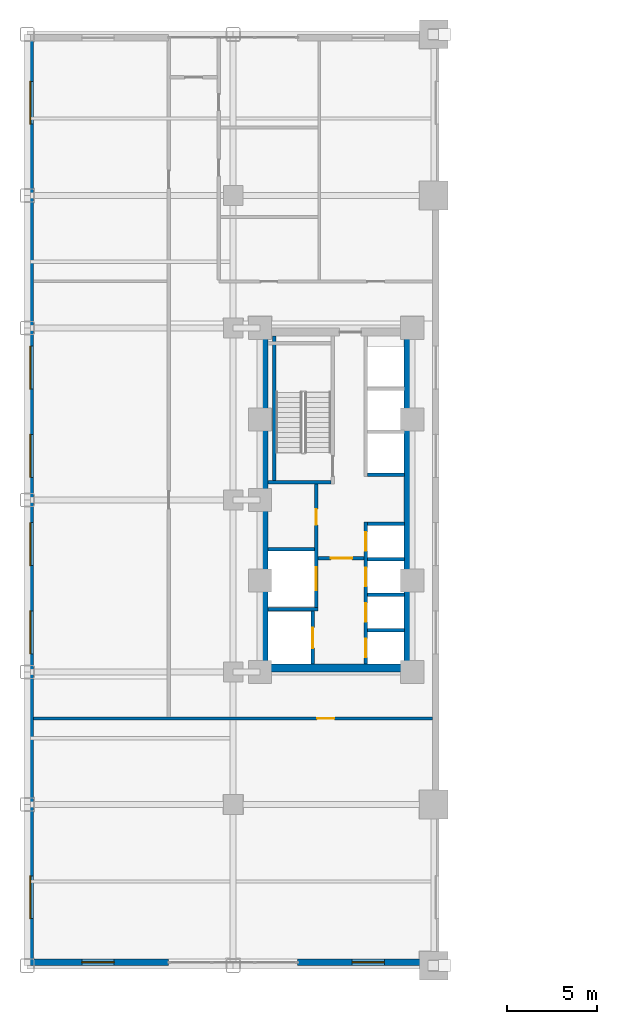
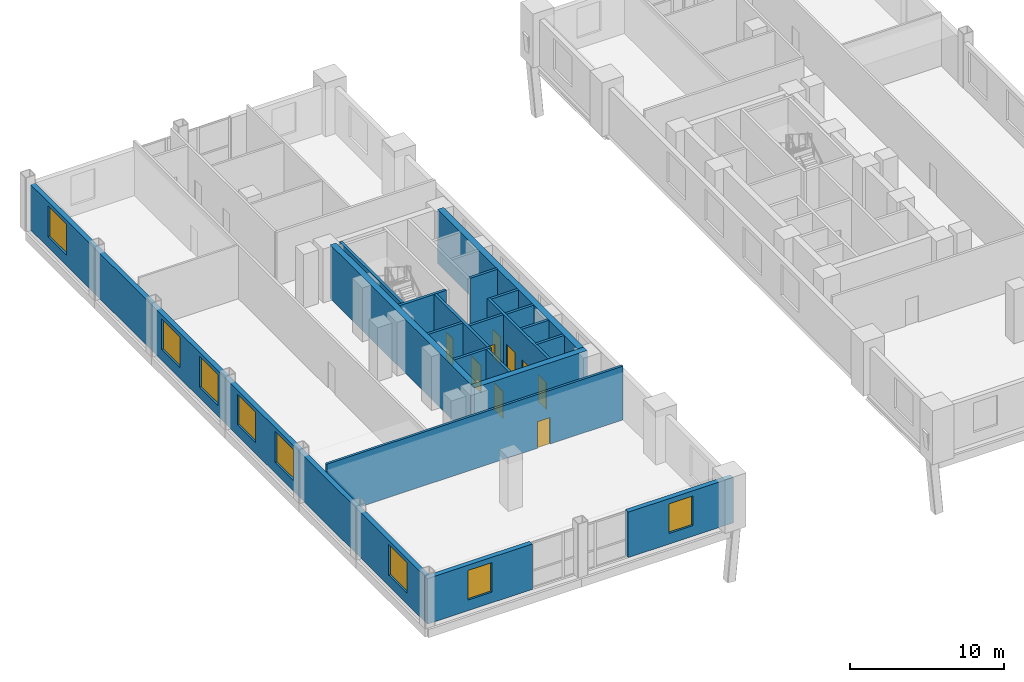
# One storey, part 3 of 15: 20 walls, 9 doors, 8 windows, 17 openings.
"""IFC4 building model written with IfcOpenShell, lengths in metres."""

from ifc_helpers import new_model, si_unit, direction, frame, frame_2d, origin, place, context, subcontext, project, spatial, rectangle, extrude, source, transform, mapped, material, layer, layer_set, type_object, type_shapes, element, fill, save


model = new_model("IFC4")

# Units and contexts
model_context = context("Model", 3, precision=1e-05, world=origin(), true_north=direction((0.0, 1.0)))
body_context = subcontext(model_context, "Body", "Model", "MODEL_VIEW")
ifc_project = project(units=[si_unit("LENGTHUNIT", "METRE"), si_unit("AREAUNIT", "SQUARE_METRE"), si_unit("VOLUMEUNIT", "CUBIC_METRE"), si_unit("PLANEANGLEUNIT", "RADIAN"), si_unit("MASSUNIT", "GRAM", prefix="KILO")], contexts=[model_context])

# Site, building, storey
site_placement = place(None, origin())
site = spatial("IfcSite", under=ifc_project, at=site_placement, CompositionType="ELEMENT")
building_placement = place(site_placement, origin())
building = spatial("IfcBuilding", under=site, at=building_placement, Name="Nuvemarco Arch Tower", CompositionType="ELEMENT")
storey_placement = place(building_placement, frame((0.0, 0.0, 4.60009765625)))
storey = spatial("IfcBuildingStorey", under=building, at=storey_placement, Name="L01", CompositionType="ELEMENT", Elevation=4.60009765625)

# Wall, opening, window
ifc_material_1 = material(Name="Precast concrete C45/55", Category="concrete")
ifc_layer_1 = layer(ifc_material_1, 0.360107421875, Name="EW-POD-360")
ifc_layer_set_1 = layer_set([ifc_layer_1], Name="Precast concrete C45/55")
wall_type_1 = type_object("IfcWallType", Name="EW-POD-360", PredefinedType="STANDARD", material=ifc_layer_set_1)
wall_1_placement = place(storey_placement, frame((-30.5, -25.820068359375, 0.0), z_axis=(0.0, 0.0, 1.0), x_axis=(1.0, 0.0, 0.0)))
wall_1 = element("IfcWall", 1, at=wall_1_placement, inside=storey, type_object=wall_type_1, Name="L01 exterior precast pier wall south left", PredefinedType="STANDARD", context=body_context, shape_type="SweptSolid", body=[
    extrude(rectangle(XDim=7.89990234375, YDim=0.360107421875, at=frame_2d((3.949951171875, 0.0))), origin(), (0.0, 0.0, 1.0), 3.614990234375),
])
opening_1_placement = place(wall_1_placement, frame((3.050048828125, 0.0, 0.85009765625)))
opening_1 = element("IfcOpeningElement", 2, at=opening_1_placement, cuts=wall_1, Name="Opening WN-2", PredefinedType="OPENING", context=body_context, shape_type="SweptSolid", body=[
    extrude(rectangle(XDim=1.800048828125, YDim=2.35009765625, at=frame_2d((0.89990234375, 1.175048828125))), frame((0.0, 0.18994140625, 0.0), z_axis=(0.0, -1.0, 0.0), x_axis=(1.0, 0.0, 0.0)), (0.0, 0.0, 1.0), 0.380126953125),
])
ifc_material_2 = material(Name="Insulated solar-control glass", Category="glass")
window_type_1 = type_object("IfcWindowType", Name="WN-POD-1800x2350", PartitioningType="DOUBLE_PANEL_VERTICAL", PredefinedType="WINDOW", material=ifc_material_2)
shared_shape_1 = source(origin(), body_context, "Body", "SweptSolid", [
    extrude(rectangle(XDim=1.800048828125, YDim=2.35009765625, at=frame_2d((0.89990234375, 1.175048828125))), frame((0.0, 0.030029296875, 0.0), z_axis=(0.0, -1.0, 0.0), x_axis=(1.0, 0.0, 0.0)), (0.0, 0.0, 1.0), 0.06005859375),
])
type_shapes(window_type_1, [shared_shape_1])
window_1_placement = place(opening_1_placement, origin())
window_1 = element("IfcWindow", 3, at=window_1_placement, inside=storey, type_object=window_type_1, Name="L01 punched facade window 1", OverallHeight=2.35009765625, OverallWidth=1.800048828125, PartitioningType="SINGLE_PANEL", PredefinedType="WINDOW", context=body_context, shape_type="MappedRepresentation", body=[
    mapped(shared_shape_1, transform((0.0, 0.0, 0.0), scale=1.0)),
])
fill(opening_1, window_1)

wall_2_placement = place(storey_placement, frame((-15.39990234375, -25.820068359375, 0.0), z_axis=(0.0, 0.0, 1.0), x_axis=(1.0, 0.0, 0.0)))
wall_2 = element("IfcWall", 4, at=wall_2_placement, inside=storey, type_object=wall_type_1, Name="L01 exterior precast pier wall south right", PredefinedType="STANDARD", context=body_context, shape_type="SweptSolid", body=[
    extrude(rectangle(XDim=7.89990234375, YDim=0.360107421875, at=frame_2d((3.949951171875, 0.0))), origin(), (0.0, 0.0, 1.0), 3.614990234375),
])
opening_2_placement = place(wall_2_placement, frame((3.050048828125, 0.0, 0.85009765625)))
opening_2 = element("IfcOpeningElement", 5, at=opening_2_placement, cuts=wall_2, Name="Opening WN-2", PredefinedType="OPENING", context=body_context, shape_type="SweptSolid", body=[
    extrude(rectangle(XDim=1.800048828125, YDim=2.35009765625, at=frame_2d((0.89990234375, 1.175048828125))), frame((0.0, 0.18994140625, 0.0), z_axis=(0.0, -1.0, 0.0), x_axis=(1.0, 0.0, 0.0)), (0.0, 0.0, 1.0), 0.380126953125),
])
window_2_placement = place(opening_2_placement, origin())
window_2 = element("IfcWindow", 6, at=window_2_placement, inside=storey, type_object=window_type_1, Name="L01 punched facade window 1", OverallHeight=2.35009765625, OverallWidth=1.800048828125, PartitioningType="SINGLE_PANEL", PredefinedType="WINDOW", context=body_context, shape_type="MappedRepresentation", body=[
    mapped(shared_shape_1, transform((0.0, 0.0, 0.0), scale=1.0)),
])
fill(opening_2, window_2)

# Wall, openings, windows
wall_3_placement = place(storey_placement, frame((-30.320068359375, -25.64404296875, 0.0), z_axis=(0.0, 0.0, 1.0), x_axis=(0.0, 1.0, 0.0)))
wall_3 = element("IfcWall", 7, at=wall_3_placement, inside=storey, type_object=wall_type_1, Name="L01 exterior precast facade wall 4", PredefinedType="STANDARD", context=body_context, shape_type="SweptSolid", body=[
    extrude(rectangle(XDim=51.2880859375, YDim=0.360107421875, at=frame_2d((25.64404296875, 0.0))), origin(), (0.0, 0.0, 1.0), 3.614990234375),
])
opening_3_placement = place(wall_3_placement, frame((2.264404296875, 0.0, 0.85009765625)))
opening_3 = element("IfcOpeningElement", 8, at=opening_3_placement, cuts=wall_3, Name="Opening WN-1", PredefinedType="OPENING", context=body_context, shape_type="SweptSolid", body=[
    extrude(rectangle(XDim=2.39990234375, YDim=2.449951171875, at=frame_2d((1.199951171875, 1.22509765625))), frame((0.0, 0.18994140625, 0.0), z_axis=(0.0, -1.0, 0.0), x_axis=(1.0, 0.0, 0.0)), (0.0, 0.0, 1.0), 0.380126953125),
])
opening_4_placement = place(wall_3_placement, frame((17.05078125, 0.0, 0.85009765625)))
opening_4 = element("IfcOpeningElement", 9, at=opening_4_placement, cuts=wall_3, Name="Opening WN-1", PredefinedType="OPENING", context=body_context, shape_type="SweptSolid", body=[
    extrude(rectangle(XDim=2.39990234375, YDim=2.449951171875, at=frame_2d((1.199951171875, 1.22509765625))), frame((0.0, 0.18994140625, 0.0), z_axis=(0.0, -1.0, 0.0), x_axis=(1.0, 0.0, 0.0)), (0.0, 0.0, 1.0), 0.380126953125),
])
opening_5_placement = place(wall_3_placement, frame((21.9794921875, 0.0, 0.85009765625)))
opening_5 = element("IfcOpeningElement", 10, at=opening_5_placement, cuts=wall_3, Name="Opening WN-1", PredefinedType="OPENING", context=body_context, shape_type="SweptSolid", body=[
    extrude(rectangle(XDim=2.39990234375, YDim=2.449951171875, at=frame_2d((1.199951171875, 1.22509765625))), frame((0.0, 0.18994140625, 0.0), z_axis=(0.0, -1.0, 0.0), x_axis=(1.0, 0.0, 0.0)), (0.0, 0.0, 1.0), 0.380126953125),
])
opening_6_placement = place(wall_3_placement, frame((26.908447265625, 0.0, 0.85009765625)))
opening_6 = element("IfcOpeningElement", 11, at=opening_6_placement, cuts=wall_3, Name="Opening WN-1", PredefinedType="OPENING", context=body_context, shape_type="SweptSolid", body=[
    extrude(rectangle(XDim=2.39990234375, YDim=2.449951171875, at=frame_2d((1.199951171875, 1.22509765625))), frame((0.0, 0.18994140625, 0.0), z_axis=(0.0, -1.0, 0.0), x_axis=(1.0, 0.0, 0.0)), (0.0, 0.0, 1.0), 0.380126953125),
])
opening_7_placement = place(wall_3_placement, frame((31.837158203125, 0.0, 0.85009765625)))
opening_7 = element("IfcOpeningElement", 12, at=opening_7_placement, cuts=wall_3, Name="Opening WN-1", PredefinedType="OPENING", context=body_context, shape_type="SweptSolid", body=[
    extrude(rectangle(XDim=2.39990234375, YDim=2.449951171875, at=frame_2d((1.199951171875, 1.22509765625))), frame((0.0, 0.18994140625, 0.0), z_axis=(0.0, -1.0, 0.0), x_axis=(1.0, 0.0, 0.0)), (0.0, 0.0, 1.0), 0.380126953125),
])
opening_8_placement = place(wall_3_placement, frame((46.62353515625, 0.0, 0.85009765625)))
opening_8 = element("IfcOpeningElement", 13, at=opening_8_placement, cuts=wall_3, Name="Opening WN-1", PredefinedType="OPENING", context=body_context, shape_type="SweptSolid", body=[
    extrude(rectangle(XDim=2.39990234375, YDim=2.449951171875, at=frame_2d((1.199951171875, 1.22509765625))), frame((0.0, 0.18994140625, 0.0), z_axis=(0.0, -1.0, 0.0), x_axis=(1.0, 0.0, 0.0)), (0.0, 0.0, 1.0), 0.380126953125),
])
window_type_2 = type_object("IfcWindowType", Name="WN-POD-2400x2450", PartitioningType="DOUBLE_PANEL_VERTICAL", PredefinedType="WINDOW", material=ifc_material_2)
shared_shape_2 = source(origin(), body_context, "Body", "SweptSolid", [
    extrude(rectangle(XDim=2.39990234375, YDim=2.449951171875, at=frame_2d((1.199951171875, 1.22509765625))), frame((0.0, 0.030029296875, 0.0), z_axis=(0.0, -1.0, 0.0), x_axis=(1.0, 0.0, 0.0)), (0.0, 0.0, 1.0), 0.06005859375),
])
type_shapes(window_type_2, [shared_shape_2])
window_3_placement = place(opening_3_placement, origin())
window_3 = element("IfcWindow", 14, at=window_3_placement, inside=storey, type_object=window_type_2, Name="L01 punched facade window 1", OverallHeight=2.449951171875, OverallWidth=2.39990234375, PartitioningType="SINGLE_PANEL", PredefinedType="WINDOW", context=body_context, shape_type="MappedRepresentation", body=[
    mapped(shared_shape_2, transform((0.0, 0.0, 0.0), scale=1.0)),
])
fill(opening_3, window_3)
window_4_placement = place(opening_4_placement, origin())
window_4 = element("IfcWindow", 15, at=window_4_placement, inside=storey, type_object=window_type_2, Name="L01 punched facade window 4", OverallHeight=2.449951171875, OverallWidth=2.39990234375, PartitioningType="SINGLE_PANEL", PredefinedType="WINDOW", context=body_context, shape_type="MappedRepresentation", body=[
    mapped(shared_shape_2, transform((0.0, 0.0, 0.0), scale=1.0)),
])
fill(opening_4, window_4)
window_5_placement = place(opening_5_placement, origin())
window_5 = element("IfcWindow", 16, at=window_5_placement, inside=storey, type_object=window_type_2, Name="L01 punched facade window 5", OverallHeight=2.449951171875, OverallWidth=2.39990234375, PartitioningType="SINGLE_PANEL", PredefinedType="WINDOW", context=body_context, shape_type="MappedRepresentation", body=[
    mapped(shared_shape_2, transform((0.0, 0.0, 0.0), scale=1.0)),
])
fill(opening_5, window_5)
window_6_placement = place(opening_6_placement, origin())
window_6 = element("IfcWindow", 17, at=window_6_placement, inside=storey, type_object=window_type_2, Name="L01 punched facade window 6", OverallHeight=2.449951171875, OverallWidth=2.39990234375, PartitioningType="SINGLE_PANEL", PredefinedType="WINDOW", context=body_context, shape_type="MappedRepresentation", body=[
    mapped(shared_shape_2, transform((0.0, 0.0, 0.0), scale=1.0)),
])
fill(opening_6, window_6)
window_7_placement = place(opening_7_placement, origin())
window_7 = element("IfcWindow", 18, at=window_7_placement, inside=storey, type_object=window_type_2, Name="L01 punched facade window 7", OverallHeight=2.449951171875, OverallWidth=2.39990234375, PartitioningType="SINGLE_PANEL", PredefinedType="WINDOW", context=body_context, shape_type="MappedRepresentation", body=[
    mapped(shared_shape_2, transform((0.0, 0.0, 0.0), scale=1.0)),
])
fill(opening_7, window_7)
window_8_placement = place(opening_8_placement, origin())
window_8 = element("IfcWindow", 19, at=window_8_placement, inside=storey, type_object=window_type_2, Name="L01 punched facade window 10", OverallHeight=2.449951171875, OverallWidth=2.39990234375, PartitioningType="SINGLE_PANEL", PredefinedType="WINDOW", context=body_context, shape_type="MappedRepresentation", body=[
    mapped(shared_shape_2, transform((0.0, 0.0, 0.0), scale=1.0)),
])
fill(opening_8, window_8)

# Walls
ifc_material_3 = material(Name="Concrete C60/75", Category="concrete")
ifc_layer_2 = layer(ifc_material_3, 0.449951171875, Name="WL-CORE-450")
ifc_layer_set_2 = layer_set([ifc_layer_2], Name="Concrete C60/75")
wall_type_2 = type_object("IfcWallType", Name="WL-CORE-450", PredefinedType="SHEAR", material=ifc_layer_set_2)
wall_4_placement = place(storey_placement, frame((-17.5, -9.375, 0.0), z_axis=(0.0, 0.0, 1.0), x_axis=(1.0, 0.0, 0.0)))
element("IfcWall", 20, at=wall_4_placement, inside=storey, type_object=wall_type_2, Name="L01 W-core shear wall S", PredefinedType="SHEAR", context=body_context, shape_type="SweptSolid", body=[
    extrude(rectangle(XDim=8.5, YDim=0.449951171875, at=frame_2d((4.25, 0.0))), origin(), (0.0, 0.0, 1.0), 4.27978515625),
])
for number, where, z_axis, x_axis, name in (
    (21, (-17.27490234375, -9.155029296875, 0.0), (0.0, 0.0, 1.0), (0.0, 1.0, 0.0), "L01 W-core shear wall W"),
    (22, (-9.22509765625, -9.155029296875, 0.0), (0.0, 0.0, 1.0), (0.0, 1.0, 0.0), "L01 W-core shear wall E"),
):
    element("IfcWall", number, at=place(storey_placement, frame(where, z_axis=z_axis, x_axis=x_axis)), inside=storey, type_object=wall_type_2, Name=name, PredefinedType="SHEAR", context=body_context, shape_type="SweptSolid", body=[
        extrude(rectangle(XDim=18.31005859375, YDim=0.449951171875, at=frame_2d((9.155029296875, 0.0))), origin(), (0.0, 0.0, 1.0), 4.27978515625),
    ])

# Wall, opening, door
ifc_material_4 = material(Name="Fire-rated gypsum drywall partition")
ifc_layer_3 = layer(ifc_material_4, 0.179931640625, Name="WL-CORR-180")
ifc_layer_set_3 = layer_set([ifc_layer_3], Name="Fire-rated gypsum drywall partition")
wall_type_3 = type_object("IfcWallType", Name="WL-CORR-180", PredefinedType="PARTITIONING", material=ifc_layer_set_3)
wall_5_placement = place(storey_placement, frame((-30.139892578125, -12.199951171875, 0.0), z_axis=(0.0, 0.0, 1.0), x_axis=(1.0, 0.0, 0.0)))
wall_5 = element("IfcWall", 23, at=wall_5_placement, inside=storey, type_object=wall_type_3, Name="L01 interior wall IW-L01-001", PredefinedType="PARTITIONING", context=body_context, shape_type="SweptSolid", body=[
    extrude(rectangle(XDim=22.27978515625, YDim=0.179931640625, at=frame_2d((11.139892578125, 0.0))), origin(), (0.0, 0.0, 1.0), 4.27001953125),
])
opening_9_placement = place(wall_5_placement, frame((15.830078125, 0.0, 0.0)))
opening_9 = element("IfcOpeningElement", 24, at=opening_9_placement, cuts=wall_5, Name="Opening FD-5", PredefinedType="OPENING", context=body_context, shape_type="SweptSolid", body=[
    extrude(rectangle(XDim=0.9599609375, YDim=2.10009765625, at=frame_2d((0.47998046875, 1.050048828125))), frame((0.0, 0.099853515625, 0.0), z_axis=(0.0, -1.0, 0.0), x_axis=(1.0, 0.0, 0.0)), (0.0, 0.0, 1.0), 0.199951171875),
])
ifc_material_5 = material(Name="Timber fire door", Category="wood")
door_type_1 = type_object("IfcDoorType", Name="DR-CORR-FD", OperationType="NOTDEFINED", PredefinedType="DOOR", material=ifc_material_5)
shared_shape_3 = source(origin(), body_context, "Body", "SweptSolid", [
    extrude(rectangle(XDim=0.9599609375, YDim=2.10009765625, at=frame_2d((0.47998046875, 1.050048828125))), frame((0.0, 0.02490234375, 0.0), z_axis=(0.0, -1.0, 0.0), x_axis=(1.0, 0.0, 0.0)), (0.0, 0.0, 1.0), 0.050048828125),
])
type_shapes(door_type_1, [shared_shape_3])
door_1_placement = place(opening_9_placement, origin())
door_1 = element("IfcDoor", 25, at=door_1_placement, inside=storey, type_object=door_type_1, Name="L01 door DR-L01-POD_WEXH", OperationType="SINGLE_SWING_LEFT", OverallHeight=2.10009765625, OverallWidth=0.9599609375, PredefinedType="DOOR", context=body_context, shape_type="MappedRepresentation", body=[
    mapped(shared_shape_3, transform((0.0, 0.0, 0.0), scale=1.0)),
])
fill(opening_9, door_1)

# Walls
ifc_material_6 = material(Name="Concrete C50/60", Category="concrete")
ifc_layer_4 = layer(ifc_material_6, 0.199951171875, Name="WL-SHAFT-220")
ifc_layer_set_4 = layer_set([ifc_layer_4], Name="Concrete C50/60")
wall_type_4 = type_object("IfcWallType", Name="WL-SHAFT-220", PredefinedType="SHEAR", material=ifc_layer_set_4)
wall_6_placement = place(storey_placement, frame((-17.054931640625, 1.0, 0.0), z_axis=(0.0, 0.0, 1.0), x_axis=(1.0, 0.0, 0.0)))
element("IfcWall", 26, at=wall_6_placement, inside=storey, type_object=wall_type_4, Name="L01 structural shaft wall SW-L01-W-ST1S", PredefinedType="SHEAR", context=body_context, shape_type="SweptSolid", body=[
    extrude(rectangle(XDim=3.52001953125, YDim=0.199951171875, at=frame_2d((1.760009765625, 0.0))), origin(), (0.0, 0.0, 1.0), 4.27978515625),
])
wall_7_placement = place(storey_placement, frame((-16.699951171875, 1.094970703125, 0.0), z_axis=(0.0, 0.0, 1.0), x_axis=(0.0, 1.0, 0.0)))
element("IfcWall", 27, at=wall_7_placement, inside=storey, type_object=wall_type_4, Name="L01 structural shaft wall SW-L01-W-ST1W", PredefinedType="SHEAR", context=body_context, shape_type="SweptSolid", body=[
    extrude(rectangle(XDim=8.06005859375, YDim=0.199951171875, at=frame_2d((4.030029296875, 0.0))), origin(), (0.0, 0.0, 1.0), 4.27978515625),
])

# Wall, opening, door
wall_8_placement = place(storey_placement, frame((-14.550048828125, -9.155029296875, 0.0), z_axis=(0.0, 0.0, 1.0), x_axis=(0.0, 1.0, 0.0)))
wall_8 = element("IfcWall", 28, at=wall_8_placement, inside=storey, type_object=wall_type_4, Name="L01 structural shaft wall SW-L01-W-SHE", PredefinedType="SHEAR", context=body_context, shape_type="SweptSolid", body=[
    extrude(rectangle(XDim=2.9599609375, YDim=0.199951171875, at=frame_2d((1.47998046875, 0.0))), origin(), (0.0, 0.0, 1.0), 4.27978515625),
])
opening_10_placement = place(wall_8_placement, frame((0.8798828125, 0.0, 0.0)))
opening_10 = element("IfcOpeningElement", 29, at=opening_10_placement, cuts=wall_8, Name="Opening LD-2", PredefinedType="OPENING", context=body_context, shape_type="SweptSolid", body=[
    extrude(rectangle(XDim=1.14990234375, YDim=2.14990234375, at=frame_2d((0.574951171875, 1.074951171875))), frame((0.0, 0.10986328125, 0.0), z_axis=(0.0, -1.0, 0.0), x_axis=(1.0, 0.0, 0.0)), (0.0, 0.0, 1.0), 0.219970703125),
])
ifc_material_7 = material(Name="Stainless steel lift door", Category="steel")
door_type_2 = type_object("IfcDoorType", Name="DR-LIFT-FIRE", OperationType="DOUBLE_DOOR_SLIDING", PredefinedType="DOOR", material=ifc_material_7)
shared_shape_4 = source(origin(), body_context, "Body", "SweptSolid", [
    extrude(rectangle(XDim=1.14990234375, YDim=2.14990234375, at=frame_2d((0.574951171875, 1.074951171875))), frame((0.0, 0.02490234375, 0.0), z_axis=(0.0, -1.0, 0.0), x_axis=(1.0, 0.0, 0.0)), (0.0, 0.0, 1.0), 0.050048828125),
])
type_shapes(door_type_2, [shared_shape_4])
door_2_placement = place(opening_10_placement, origin())
door_2 = element("IfcDoor", 30, at=door_2_placement, inside=storey, type_object=door_type_2, Name="L01 Lift landing sliding door FFL-1", OperationType="DOUBLE_DOOR_SLIDING", OverallHeight=2.14990234375, OverallWidth=1.14990234375, PredefinedType="DOOR", context=body_context, shape_type="MappedRepresentation", body=[
    mapped(shared_shape_4, transform((0.0, 0.0, 0.0), scale=1.0)),
])
fill(opening_10, door_2)

# Wall, openings, doors
wall_9_placement = place(storey_placement, frame((-14.35009765625, -6.199951171875, 0.0), z_axis=(0.0, 0.0, 1.0), x_axis=(0.0, 1.0, 0.0)))
wall_9 = element("IfcWall", 31, at=wall_9_placement, inside=storey, type_object=wall_type_4, Name="L01 structural shaft wall SW-L01-W-SVE", PredefinedType="SHEAR", context=body_context, shape_type="SweptSolid", body=[
    extrude(rectangle(XDim=7.10498046875, YDim=0.199951171875, at=frame_2d((3.552490234375, 0.0))), origin(), (0.0, 0.0, 1.0), 4.27978515625),
])
opening_11_placement = place(wall_9_placement, frame((5.68994140625, 0.0, 0.0), z_axis=(0.0, 0.0, 1.0), x_axis=(-1.0, 0.0, 0.0)))
opening_11 = element("IfcOpeningElement", 32, at=opening_11_placement, cuts=wall_9, Name="Opening FD-4", PredefinedType="OPENING", context=body_context, shape_type="SweptSolid", body=[
    extrude(rectangle(XDim=0.8798828125, YDim=2.10009765625, at=frame_2d((0.43994140625, 1.050048828125))), frame((0.0, 0.10986328125, 0.0), z_axis=(0.0, -1.0, 0.0), x_axis=(1.0, 0.0, 0.0)), (0.0, 0.0, 1.0), 0.219970703125),
])
opening_12_placement = place(wall_9_placement, frame((1.14990234375, 0.0, 0.0)))
opening_12 = element("IfcOpeningElement", 33, at=opening_12_placement, cuts=wall_9, Name="Opening LD-3", PredefinedType="OPENING", context=body_context, shape_type="SweptSolid", body=[
    extrude(rectangle(XDim=1.300048828125, YDim=2.199951171875, at=frame_2d((0.64990234375, 1.10009765625))), frame((0.0, 0.10986328125, 0.0), z_axis=(0.0, -1.0, 0.0), x_axis=(1.0, 0.0, 0.0)), (0.0, 0.0, 1.0), 0.219970703125),
])
ifc_material_8 = material(Name="Anodised steel fire door", Category="steel")
door_type_3 = type_object("IfcDoorType", Name="DR-RISER-FD", OperationType="NOTDEFINED", PredefinedType="DOOR", material=ifc_material_8)
shared_shape_5 = source(origin(), body_context, "Body", "SweptSolid", [
    extrude(rectangle(XDim=0.8798828125, YDim=2.10009765625, at=frame_2d((0.43994140625, 1.050048828125))), frame((0.0, 0.02490234375, 0.0), z_axis=(0.0, -1.0, 0.0), x_axis=(1.0, 0.0, 0.0)), (0.0, 0.0, 1.0), 0.050048828125),
])
type_shapes(door_type_3, [shared_shape_5])
door_3_placement = place(opening_11_placement, origin())
door_3 = element("IfcDoor", 34, at=door_3_placement, inside=storey, type_object=door_type_3, Name="L01 door FD-L01-WRIS", OperationType="SINGLE_SWING_LEFT", OverallHeight=2.10009765625, OverallWidth=0.8798828125, PredefinedType="DOOR", context=body_context, shape_type="MappedRepresentation", body=[
    mapped(shared_shape_5, transform((0.0, 0.0, 0.0), scale=1.0)),
])
fill(opening_11, door_3)
door_type_4 = type_object("IfcDoorType", Name="DR-LIFT-SERV", OperationType="DOUBLE_DOOR_SLIDING", PredefinedType="DOOR", material=ifc_material_7)
shared_shape_6 = source(origin(), body_context, "Body", "SweptSolid", [
    extrude(rectangle(XDim=1.300048828125, YDim=2.199951171875, at=frame_2d((0.64990234375, 1.10009765625))), frame((0.0, 0.02490234375, 0.0), z_axis=(0.0, -1.0, 0.0), x_axis=(1.0, 0.0, 0.0)), (0.0, 0.0, 1.0), 0.050048828125),
])
type_shapes(door_type_4, [shared_shape_6])
door_4_placement = place(opening_12_placement, origin())
door_4 = element("IfcDoor", 35, at=door_4_placement, inside=storey, type_object=door_type_4, Name="L01 Lift landing sliding door SVL-1", OperationType="DOUBLE_DOOR_SLIDING", OverallHeight=2.199951171875, OverallWidth=1.300048828125, PredefinedType="DOOR", context=body_context, shape_type="MappedRepresentation", body=[
    mapped(shared_shape_6, transform((0.0, 0.0, 0.0), scale=1.0)),
])
fill(opening_12, door_4)

# Walls
wall_10_placement = place(storey_placement, frame((-17.054931640625, -6.10009765625, 0.0), z_axis=(0.0, 0.0, 1.0), x_axis=(1.0, 0.0, 0.0)))
element("IfcWall", 36, at=wall_10_placement, inside=storey, type_object=wall_type_4, Name="L01 structural shaft wall SW-L01-W-SH1", PredefinedType="SHEAR", context=body_context, shape_type="SweptSolid", body=[
    extrude(rectangle(XDim=2.804931640625, YDim=0.199951171875, at=frame_2d((1.40234375, 0.0))), origin(), (0.0, 0.0, 1.0), 4.27978515625),
])
wall_11_placement = place(storey_placement, frame((-17.054931640625, -2.75, 0.0), z_axis=(0.0, 0.0, 1.0), x_axis=(1.0, 0.0, 0.0)))
element("IfcWall", 37, at=wall_11_placement, inside=storey, type_object=wall_type_4, Name="L01 structural shaft wall SW-L01-W-SH2", PredefinedType="SHEAR", context=body_context, shape_type="SweptSolid", body=[
    extrude(rectangle(XDim=2.60986328125, YDim=0.199951171875, at=frame_2d((1.304931640625, 0.0))), origin(), (0.0, 0.0, 1.0), 4.27978515625),
])

# Wall, openings, doors
wall_12_placement = place(storey_placement, frame((-11.60009765625, -9.155029296875, 0.0), z_axis=(0.0, 0.0, 1.0), x_axis=(0.0, 1.0, 0.0)))
wall_12 = element("IfcWall", 38, at=wall_12_placement, inside=storey, type_object=wall_type_4, Name="L01 structural shaft wall SW-L01-W-PLW", PredefinedType="SHEAR", context=body_context, shape_type="SweptSolid", body=[
    extrude(rectangle(XDim=7.925048828125, YDim=0.199951171875, at=frame_2d((3.96240234375, 0.0))), origin(), (0.0, 0.0, 1.0), 4.27978515625),
])
opening_13_placement = place(wall_12_placement, frame((0.3701171875, 0.0, 0.0)))
opening_13 = element("IfcOpeningElement", 39, at=opening_13_placement, cuts=wall_12, Name="Opening LD-1", PredefinedType="OPENING", context=body_context, shape_type="SweptSolid", body=[
    extrude(rectangle(XDim=1.050048828125, YDim=2.14990234375, at=frame_2d((0.52490234375, 1.074951171875))), frame((0.0, 0.10986328125, 0.0), z_axis=(0.0, -1.0, 0.0), x_axis=(1.0, 0.0, 0.0)), (0.0, 0.0, 1.0), 0.219970703125),
])
opening_14_placement = place(wall_12_placement, frame((2.35009765625, 0.0, 0.0)))
opening_14 = element("IfcOpeningElement", 40, at=opening_14_placement, cuts=wall_12, Name="Opening LD-1", PredefinedType="OPENING", context=body_context, shape_type="SweptSolid", body=[
    extrude(rectangle(XDim=1.050048828125, YDim=2.14990234375, at=frame_2d((0.52490234375, 1.074951171875))), frame((0.0, 0.10986328125, 0.0), z_axis=(0.0, -1.0, 0.0), x_axis=(1.0, 0.0, 0.0)), (0.0, 0.0, 1.0), 0.219970703125),
])
opening_15_placement = place(wall_12_placement, frame((4.330078125, 0.0, 0.0)))
opening_15 = element("IfcOpeningElement", 41, at=opening_15_placement, cuts=wall_12, Name="Opening LD-1", PredefinedType="OPENING", context=body_context, shape_type="SweptSolid", body=[
    extrude(rectangle(XDim=1.050048828125, YDim=2.14990234375, at=frame_2d((0.52490234375, 1.074951171875))), frame((0.0, 0.10986328125, 0.0), z_axis=(0.0, -1.0, 0.0), x_axis=(1.0, 0.0, 0.0)), (0.0, 0.0, 1.0), 0.219970703125),
])
opening_16_placement = place(wall_12_placement, frame((6.31005859375, 0.0, 0.0)))
opening_16 = element("IfcOpeningElement", 42, at=opening_16_placement, cuts=wall_12, Name="Opening LD-1", PredefinedType="OPENING", context=body_context, shape_type="SweptSolid", body=[
    extrude(rectangle(XDim=1.050048828125, YDim=2.14990234375, at=frame_2d((0.52490234375, 1.074951171875))), frame((0.0, 0.10986328125, 0.0), z_axis=(0.0, -1.0, 0.0), x_axis=(1.0, 0.0, 0.0)), (0.0, 0.0, 1.0), 0.219970703125),
])
door_type_5 = type_object("IfcDoorType", Name="DR-LIFT-PASS", OperationType="DOUBLE_DOOR_SLIDING", PredefinedType="DOOR", material=ifc_material_7)
shared_shape_7 = source(origin(), body_context, "Body", "SweptSolid", [
    extrude(rectangle(XDim=1.050048828125, YDim=2.14990234375, at=frame_2d((0.52490234375, 1.074951171875))), frame((0.0, 0.02490234375, 0.0), z_axis=(0.0, -1.0, 0.0), x_axis=(1.0, 0.0, 0.0)), (0.0, 0.0, 1.0), 0.050048828125),
])
type_shapes(door_type_5, [shared_shape_7])
door_5_placement = place(opening_13_placement, origin())
door_5 = element("IfcDoor", 43, at=door_5_placement, inside=storey, type_object=door_type_5, Name="L01 Lift landing sliding door PL-1", OperationType="DOUBLE_DOOR_SLIDING", OverallHeight=2.14990234375, OverallWidth=1.050048828125, PredefinedType="DOOR", context=body_context, shape_type="MappedRepresentation", body=[
    mapped(shared_shape_7, transform((0.0, 0.0, 0.0), scale=1.0)),
])
fill(opening_13, door_5)
door_6_placement = place(opening_14_placement, origin())
door_6 = element("IfcDoor", 44, at=door_6_placement, inside=storey, type_object=door_type_5, Name="L01 Lift landing sliding door PL-2", OperationType="DOUBLE_DOOR_SLIDING", OverallHeight=2.14990234375, OverallWidth=1.050048828125, PredefinedType="DOOR", context=body_context, shape_type="MappedRepresentation", body=[
    mapped(shared_shape_7, transform((0.0, 0.0, 0.0), scale=1.0)),
])
fill(opening_14, door_6)
door_7_placement = place(opening_15_placement, origin())
door_7 = element("IfcDoor", 45, at=door_7_placement, inside=storey, type_object=door_type_5, Name="L01 Lift landing sliding door PL-3", OperationType="DOUBLE_DOOR_SLIDING", OverallHeight=2.14990234375, OverallWidth=1.050048828125, PredefinedType="DOOR", context=body_context, shape_type="MappedRepresentation", body=[
    mapped(shared_shape_7, transform((0.0, 0.0, 0.0), scale=1.0)),
])
fill(opening_15, door_7)
door_8_placement = place(opening_16_placement, origin())
door_8 = element("IfcDoor", 46, at=door_8_placement, inside=storey, type_object=door_type_5, Name="L01 Lift landing sliding door PL-4", OperationType="DOUBLE_DOOR_SLIDING", OverallHeight=2.14990234375, OverallWidth=1.050048828125, PredefinedType="DOOR", context=body_context, shape_type="MappedRepresentation", body=[
    mapped(shared_shape_7, transform((0.0, 0.0, 0.0), scale=1.0)),
])
fill(opening_16, door_8)

# Wall, opening, door
wall_13_placement = place(storey_placement, frame((-14.2548828125, -3.25, 0.0), z_axis=(0.0, 0.0, 1.0), x_axis=(1.0, 0.0, 0.0)))
wall_13 = element("IfcWall", 47, at=wall_13_placement, inside=storey, type_object=wall_type_4, Name="L01 structural shaft wall SW-L01-W-FFN", PredefinedType="SHEAR", context=body_context, shape_type="SweptSolid", body=[
    extrude(rectangle(XDim=2.559814453125, YDim=0.199951171875, at=frame_2d((1.27978515625, 0.0))), origin(), (0.0, 0.0, 1.0), 4.27978515625),
])
opening_17_placement = place(wall_13_placement, frame((0.705078125, 0.0, 0.0)))
opening_17 = element("IfcOpeningElement", 48, at=opening_17_placement, cuts=wall_13, Name="Opening FD-2", PredefinedType="OPENING", context=body_context, shape_type="SweptSolid", body=[
    extrude(rectangle(XDim=1.199951171875, YDim=2.14990234375, at=frame_2d((0.60009765625, 1.074951171875))), frame((0.0, 0.10986328125, 0.0), z_axis=(0.0, -1.0, 0.0), x_axis=(1.0, 0.0, 0.0)), (0.0, 0.0, 1.0), 0.219970703125),
])
door_type_6 = type_object("IfcDoorType", Name="DR-FFLOB-FD", OperationType="NOTDEFINED", PredefinedType="DOOR", material=ifc_material_8)
shared_shape_8 = source(origin(), body_context, "Body", "SweptSolid", [
    extrude(rectangle(XDim=1.199951171875, YDim=2.14990234375, at=frame_2d((0.60009765625, 1.074951171875))), frame((0.0, 0.02490234375, 0.0), z_axis=(0.0, -1.0, 0.0), x_axis=(1.0, 0.0, 0.0)), (0.0, 0.0, 1.0), 0.050048828125),
])
type_shapes(door_type_6, [shared_shape_8])
door_9_placement = place(opening_17_placement, origin())
door_9 = element("IfcDoor", 49, at=door_9_placement, inside=storey, type_object=door_type_6, Name="L01 door FD-L01-WFF1", OperationType="SINGLE_SWING_LEFT", OverallHeight=2.14990234375, OverallWidth=1.199951171875, PredefinedType="DOOR", context=body_context, shape_type="MappedRepresentation", body=[
    mapped(shared_shape_8, transform((0.0, 0.0, 0.0), scale=1.0)),
])
fill(opening_17, door_9)

# Walls
for number, where, z_axis, x_axis, name in (
    (50, (-11.5048828125, -7.27001953125, 0.0), (0.0, 0.0, 1.0), (1.0, 0.0, 0.0), "L01 structural shaft wall SW-L01-W-PLD1"),
    (51, (-11.5048828125, -5.2900390625, 0.0), (0.0, 0.0, 1.0), (1.0, 0.0, 0.0), "L01 structural shaft wall SW-L01-W-PLD2"),
    (52, (-11.5048828125, -3.31005859375, 0.0), (0.0, 0.0, 1.0), (1.0, 0.0, 0.0), "L01 structural shaft wall SW-L01-W-PLD3"),
    (53, (-11.5048828125, -1.330078125, 0.0), (0.0, 0.0, 1.0), (1.0, 0.0, 0.0), "L01 structural shaft wall SW-L01-W-PLD4"),
    (54, (-11.5048828125, 1.39990234375, 0.0), (0.0, 0.0, 1.0), (1.0, 0.0, 0.0), "L01 structural shaft wall SW-L01-W-PHD1"),
):
    element("IfcWall", number, at=place(storey_placement, frame(where, z_axis=z_axis, x_axis=x_axis)), inside=storey, type_object=wall_type_4, Name=name, PredefinedType="SHEAR", context=body_context, shape_type="SweptSolid", body=[
        extrude(rectangle(XDim=2.059814453125, YDim=0.199951171875, at=frame_2d((1.02978515625, 0.0))), origin(), (0.0, 0.0, 1.0), 4.27978515625),
    ])

save(model, "model.ifc")
